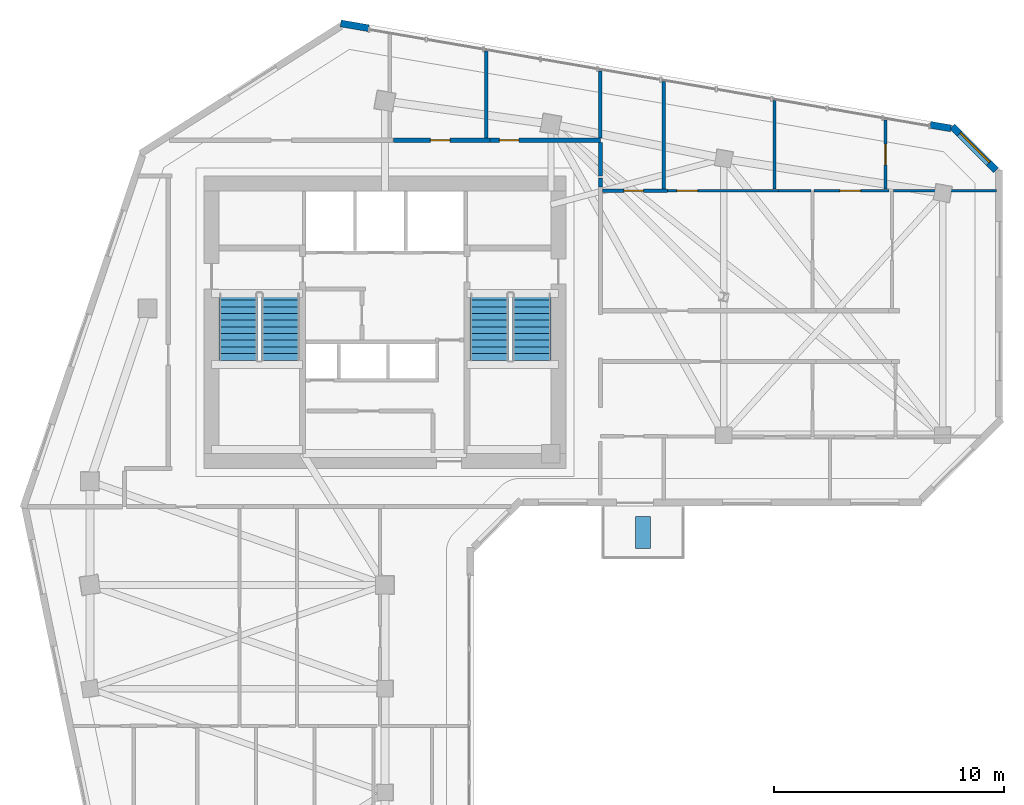
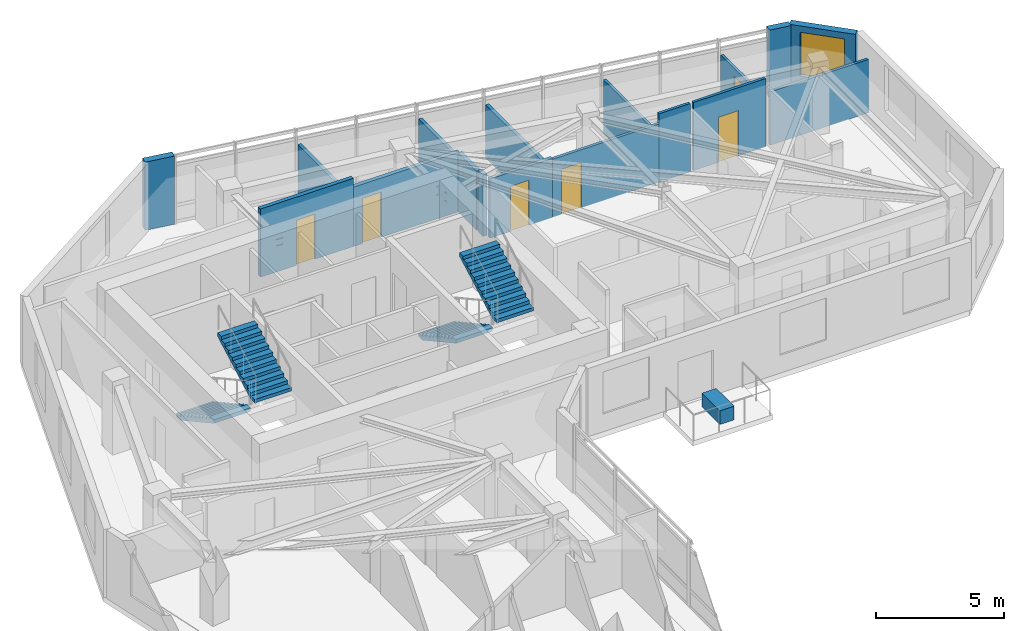
# One storey, part 8 of 11: 17 walls, 6 doors, 4 stair flights, 1 discrete accessory, 1 window, 7 openings, 2 elements without a shape of their own.
"""IFC4 building model written with IfcOpenShell, lengths in metres."""

import ifcopenshell
import ifcopenshell.guid

model = None  # the IFC model being written
_history = None  # IfcOwnerHistory: only IFC2X3 demands one
_inside = {}  # id of a spatial element -> (the spatial element, [elements in it])
_under = {}  # id of a project, library or spatial element -> (it, [spatial elements below it])
_declared = {}  # id of a project -> (the project, [libraries it declares])
_typed = {}  # id of a type object -> (the type object, [elements of that type])
_made_of = {}  # id of a material, layer set ... -> (it, [elements and type objects made of it])


def new_model(schema):
    """Start an empty IFC model of exactly this schema.

    Asked for "IFC4X3", IfcOpenShell would pick the latest addendum, in which some entities
    have other attributes; the version numbers below select the first issue.
    IFC2X3 requires an IfcOwnerHistory on every rooted entity: one is made here for all.
    """
    global model, _history
    if schema == "IFC4X3":
        model = ifcopenshell.file(schema_version=(4, 3, 0, 0))
    else:
        model = ifcopenshell.file(schema=schema)
    _inside.clear()
    _under.clear()
    _declared.clear()
    _typed.clear()
    _made_of.clear()
    _history = None
    if model.schema == "IFC2X3":
        org = make("IfcOrganization", Name="unknown")
        user = make(
            "IfcPersonAndOrganization",
            ThePerson=make("IfcPerson", FamilyName="unknown"),
            TheOrganization=org,
        )
        app = make(
            "IfcApplication",
            ApplicationDeveloper=org,
            Version="unknown",
            ApplicationFullName="unknown",
            ApplicationIdentifier="unknown",
        )
        _history = make(
            "IfcOwnerHistory",
            OwningUser=user,
            OwningApplication=app,
            ChangeAction="ADDED",
            CreationDate=0,
        )
    return model


def make(cls, **values):
    """One entity of the class cls with the attributes given. An attribute that is None is left unset."""
    return model.create_entity(
        cls, **{name: value for name, value in values.items() if value is not None}
    )


def rooted(cls, **values):
    """An entity with a GlobalId (a new one), such as an element, a storey or a relation."""
    return make(cls, GlobalId=ifcopenshell.guid.new(), OwnerHistory=_history, **values)


def si_unit(unit_type, name, prefix=None):
    """IfcSIUnit, for example si_unit("LENGTHUNIT", "METRE", prefix="MILLI")."""
    return make("IfcSIUnit", UnitType=unit_type, Prefix=prefix, Name=name)


def assignment(units):
    """IfcUnitAssignment: the units of a project."""
    return None if units is None else make("IfcUnitAssignment", Units=units)


def point(xyz):
    """IfcCartesianPoint."""
    return None if xyz is None else make("IfcCartesianPoint", Coordinates=xyz)


def direction(xyz):
    """IfcDirection."""
    return None if xyz is None else make("IfcDirection", DirectionRatios=xyz)


def frame(location, z_axis=None, x_axis=None):
    """IfcAxis2Placement3D, a coordinate frame: its origin and axes. An axis left out is left unset."""
    return make(
        "IfcAxis2Placement3D",
        Location=point(location),
        Axis=direction(z_axis),
        RefDirection=direction(x_axis),
    )


def frame_2d(location, x_axis=None):
    """IfcAxis2Placement2D, a coordinate frame in the plane: its origin and x axis."""
    return make(
        "IfcAxis2Placement2D", Location=point(location), RefDirection=direction(x_axis)
    )


def origin():
    """The frame at (0, 0, 0) with its axes left unset."""
    return frame((0.0, 0.0, 0.0))


def origin_2d():
    """The frame at (0, 0) in the plane with its x axis left unset."""
    return frame_2d((0.0, 0.0))


def place(relative_to, where):
    """IfcLocalPlacement: puts the frame where relative to a parent placement (None: the world)."""
    return make(
        "IfcLocalPlacement", PlacementRelTo=relative_to, RelativePlacement=where
    )


def context(
    kind, dimensions, precision=None, world=None, true_north=None, identifier=None
):
    """IfcGeometricRepresentationContext, for example the 3D "Model" context."""
    return make(
        "IfcGeometricRepresentationContext",
        ContextIdentifier=identifier,
        ContextType=kind,
        CoordinateSpaceDimension=dimensions,
        Precision=precision,
        WorldCoordinateSystem=world,
        TrueNorth=true_north,
    )


def subcontext(parent, identifier, kind, view, scale=None):
    """IfcGeometricRepresentationSubContext, for example "Body" below "Model"."""
    return make(
        "IfcGeometricRepresentationSubContext",
        ContextIdentifier=identifier,
        ContextType=kind,
        ParentContext=parent,
        TargetScale=scale,
        TargetView=view,
    )


def project(units=None, contexts=None):
    """IfcProject with its units and contexts."""
    return rooted(
        "IfcProject",
        Name="project",
        RepresentationContexts=contexts,
        UnitsInContext=assignment(units),
    )


def spatial(cls, under=None, at=None, **own):
    """A site, building, storey or space (cls), placed at a placement, below another one or the project."""
    s = rooted(cls, ObjectPlacement=at, **own)
    if under is not None:
        _under.setdefault(under.id(), (under, []))[1].append(s)
    return s


def polyline(points):
    """IfcPolyline through the points."""
    return make("IfcPolyline", Points=[point(p) for p in points])


def profile(cls, at=None, kind="AREA", **sizes):
    """A parametric profile (cls). Its sizes go by their IFC names, for example OverallWidth=200.0."""
    return make(cls, ProfileType=kind, Position=at, **sizes)


def rectangle(**sizes):
    """IfcRectangleProfileDef."""
    return profile("IfcRectangleProfileDef", **sizes)


def outline(outer, holes=None, kind="AREA"):
    """IfcArbitraryClosedProfileDef: a profile drawn as a closed curve; with holes, ...WithVoids."""
    if holes is None:
        return make("IfcArbitraryClosedProfileDef", ProfileType=kind, OuterCurve=outer)
    return make(
        "IfcArbitraryProfileDefWithVoids",
        ProfileType=kind,
        OuterCurve=outer,
        InnerCurves=holes,
    )


def extrude(swept, where, along, depth):
    """IfcExtrudedAreaSolid: the profile swept, set in the frame where, extruded along a direction by depth."""
    return make(
        "IfcExtrudedAreaSolid",
        SweptArea=swept,
        Position=where,
        ExtrudedDirection=direction(along),
        Depth=depth,
    )


def shape(context_of_items, identifier, shape_type, items):
    """IfcShapeRepresentation: the items that make up one representation, for example the "Body"."""
    return make(
        "IfcShapeRepresentation",
        ContextOfItems=context_of_items,
        RepresentationIdentifier=identifier,
        RepresentationType=shape_type,
        Items=items,
    )


def source(mapping_origin, context_of_items, identifier, shape_type, items):
    """IfcRepresentationMap: a shape defined once, which mapped items show again and again."""
    return make(
        "IfcRepresentationMap",
        MappingOrigin=mapping_origin,
        MappedRepresentation=shape(context_of_items, identifier, shape_type, items),
    )


def transform(
    local_origin,
    x_axis=None,
    y_axis=None,
    z_axis=None,
    scale=None,
    scale2=None,
    scale3=None,
    uniform=True,
):
    """IfcCartesianTransformationOperator3D, or its non-uniform kind. x_axis, y_axis, z_axis: its Axis1, 2, 3."""
    if uniform:
        return make(
            "IfcCartesianTransformationOperator3D",
            Axis1=direction(x_axis),
            Axis2=direction(y_axis),
            LocalOrigin=point(local_origin),
            Scale=scale,
            Axis3=direction(z_axis),
        )
    return make(
        "IfcCartesianTransformationOperator3DnonUniform",
        Axis1=direction(x_axis),
        Axis2=direction(y_axis),
        LocalOrigin=point(local_origin),
        Scale=scale,
        Axis3=direction(z_axis),
        Scale2=scale2,
        Scale3=scale3,
    )


def mapped(mapping_source, mapping_target):
    """IfcMappedItem: shows the shape of a source again, moved by a transform."""
    return make(
        "IfcMappedItem", MappingSource=mapping_source, MappingTarget=mapping_target
    )


def material(Name=None, Category=None):
    """IfcMaterial."""
    return make("IfcMaterial", Name=Name, Category=Category)


def layer(
    of_material, thickness, ventilated=None, Name=None, Category=None, Priority=None
):
    """IfcMaterialLayer: one layer of a wall or slab, of a material (None: an air gap)."""
    return make(
        "IfcMaterialLayer",
        Material=of_material,
        LayerThickness=thickness,
        IsVentilated=ventilated,
        Name=Name,
        Category=Category,
        Priority=Priority,
    )


def layer_set(layers, Name=None):
    """IfcMaterialLayerSet."""
    return make("IfcMaterialLayerSet", MaterialLayers=layers, LayerSetName=Name)


def made_of(thing, what):
    """Note that an element or type object is made of a material, layer set ...; save() writes the relation."""
    if what is not None:
        _made_of.setdefault(what.id(), (what, []))[1].append(thing)
    return thing


def type_object(cls, material=None, **own):
    """A type object (cls), such as IfcWallType, which elements share."""
    return made_of(rooted(cls, **own), material)


def element(
    cls,
    number,
    at=None,
    inside=None,
    cuts=None,
    type_object=None,
    material=None,
    context=None,
    identifier="Body",
    shape_type=None,
    held_by="IfcProductDefinitionShape",
    body=None,
    shapes=None,
    **own,
):
    """One element of the class cls, such as IfcWall. Its Tag is "e" and its number.

    at: its placement. inside: the storey or other place that contains it. cuts: it is an
    opening in that element (IfcRelVoidsElement). A single representation is given by context,
    identifier, shape_type and body (its items); several are given by shapes. held_by: the class
    of the entity that holds the representations. save() writes the other relations.
    """
    e = rooted(cls, Tag="e%d" % number, ObjectPlacement=at, **own)
    if body is not None:
        shapes = [shape(context, identifier, shape_type, body)]
    if shapes is not None:
        e.Representation = make(held_by, Representations=shapes)
    if inside is not None:
        _inside.setdefault(inside.id(), (inside, []))[1].append(e)
    if cuts is not None:
        rooted(
            "IfcRelVoidsElement", RelatingBuildingElement=cuts, RelatedOpeningElement=e
        )
    if type_object is not None:
        _typed.setdefault(type_object.id(), (type_object, []))[1].append(e)
    return made_of(e, material)


def fill(opening, filler):
    """IfcRelFillsElement: the door or window that sits in an opening."""
    return rooted(
        "IfcRelFillsElement",
        RelatingOpeningElement=opening,
        RelatedBuildingElement=filler,
    )


def aggregate(whole, parts):
    """IfcRelAggregates: a whole, such as a stair, and the parts it consists of."""
    return rooted("IfcRelAggregates", RelatingObject=whole, RelatedObjects=parts)


def save(model, path):
    """Write the relations noted so far, then the file.

    IfcRelAggregates (storeys below a building ...), IfcRelContainedInSpatialStructure (elements
    in a storey), IfcRelDefinesByType, IfcRelAssociatesMaterial and IfcRelDeclares: one each for
    every whole, place, type object, material and project.
    """
    for whole, parts in _under.values():
        aggregate(whole, parts)
    for where, things in _inside.values():
        rooted(
            "IfcRelContainedInSpatialStructure",
            RelatedElements=things,
            RelatingStructure=where,
        )
    for kind, things in _typed.values():
        rooted("IfcRelDefinesByType", RelatedObjects=things, RelatingType=kind)
    for what, things in _made_of.values():
        rooted("IfcRelAssociatesMaterial", RelatedObjects=things, RelatingMaterial=what)
    for by, libraries in _declared.values():
        rooted("IfcRelDeclares", RelatingContext=by, RelatedDefinitions=libraries)
    model.write(path)


model = new_model("IFC4")

# Units and contexts
model_context = context("Model", 3, precision=1e-05, world=origin(), true_north=direction((0.0, 1.0)))
body_context = subcontext(model_context, "Body", "Model", "MODEL_VIEW")
ifc_project = project(units=[si_unit("LENGTHUNIT", "METRE"), si_unit("AREAUNIT", "SQUARE_METRE"), si_unit("VOLUMEUNIT", "CUBIC_METRE"), si_unit("PLANEANGLEUNIT", "RADIAN"), si_unit("MASSUNIT", "GRAM", prefix="KILO")], contexts=[model_context])

# Site, building, storey
site_placement = place(None, origin())
site = spatial("IfcSite", under=ifc_project, at=site_placement, CompositionType="ELEMENT")
building_placement = place(site_placement, origin())
building = spatial("IfcBuilding", under=site, at=building_placement, Name="Calvemar Wedge Station Tower", CompositionType="ELEMENT")
storey_placement = place(building_placement, frame((0.0, 0.0, 190.39990234375)))
storey = spatial("IfcBuildingStorey", under=building, at=storey_placement, Name="L47", CompositionType="ELEMENT", Elevation=190.39990234375)

# Wall, opening, door
ifc_material_1 = material(Name="Double-stud fire-rated corridor partition")
ifc_layer_1 = layer(ifc_material_1, 0.179931640625)
ifc_layer_set_1 = layer_set([ifc_layer_1], Name="Double-stud fire-rated corridor partition")
wall_type_1 = type_object("IfcWallType", Name="W-CORR-180", PredefinedType="PARTITIONING", material=ifc_layer_set_1)
wall_1_placement = place(storey_placement, frame((24.162109375, 47.800048828125, 0.0), z_axis=(0.0, 0.0, 1.0), x_axis=(1.0, 0.0, 0.0)))
wall_1 = element("IfcWall", 1, at=wall_1_placement, inside=storey, type_object=wall_type_1, Name="Storey L47 Interior Partition WL-L47-015", PredefinedType="PARTITIONING", context=body_context, shape_type="SweptSolid", body=[
    extrude(rectangle(XDim=4.197998046875, YDim=0.179931640625, at=frame_2d((2.09912109375, 0.0))), origin(), (0.0, 0.0, 1.0), 3.25),
])
shared_shape_1 = source(origin(), body_context, "Body", "SweptSolid", [
    extrude(rectangle(XDim=0.85009765625, YDim=2.14990234375, at=frame_2d((0.425048828125, 1.074951171875))), frame((0.0, 0.10009765625, 0.0), z_axis=(0.0, -1.0, 0.0), x_axis=(1.0, 0.0, 0.0)), (0.0, 0.0, 1.0), 0.199951171875),
])
opening_1_placement = place(wall_1_placement, frame((1.61328125, 0.0, 0.0)))
opening_1 = element("IfcOpeningElement", 2, at=opening_1_placement, cuts=wall_1, Name="Opening D-02", PredefinedType="OPENING", context=body_context, shape_type="MappedRepresentation", body=[
    mapped(shared_shape_1, transform((0.0, 0.0, 0.0), scale=1.0)),
])
ifc_material_2 = material(Name="Moisture-sealed bathroom hardwood swing door", Category="wood")
door_type_1 = type_object("IfcDoorType", Name="DR-WET-850", OperationType="NOTDEFINED", PredefinedType="DOOR", material=ifc_material_2)
shared_shape_2 = source(origin(), body_context, "Body", "SweptSolid", [
    extrude(rectangle(XDim=0.85009765625, YDim=2.14990234375, at=frame_2d((0.425048828125, 1.074951171875))), frame((0.0, 0.02490234375, 0.0), z_axis=(0.0, -1.0, 0.0), x_axis=(1.0, 0.0, 0.0)), (0.0, 0.0, 1.0), 0.050048828125),
])
door_1_placement = place(opening_1_placement, origin())
door_1 = element("IfcDoor", 3, at=door_1_placement, inside=storey, type_object=door_type_1, Name="L47 Accessible WC Door", OperationType="SINGLE_SWING_RIGHT", OverallHeight=2.14990234375, OverallWidth=0.85009765625, PredefinedType="DOOR", context=body_context, shape_type="MappedRepresentation", body=[
    mapped(shared_shape_2, transform((0.0, 0.0, 0.0), scale=1.0)),
])
fill(opening_1, door_1)

wall_2_placement = place(storey_placement, frame((28.362060546875, 47.800048828125, 0.0), z_axis=(0.0, 0.0, 1.0), x_axis=(1.0, 0.0, 0.0)))
wall_2 = element("IfcWall", 4, at=wall_2_placement, inside=storey, type_object=wall_type_1, Name="Storey L47 Interior Partition WL-L47-016", PredefinedType="PARTITIONING", context=body_context, shape_type="SweptSolid", body=[
    extrude(rectangle(XDim=4.787841796875, YDim=0.179931640625, at=frame_2d((2.39404296875, 0.0))), origin(), (0.0, 0.0, 1.0), 2.822021484375),
])
opening_2_placement = place(wall_2_placement, frame((0.400634765625, 0.0, 0.0)))
opening_2 = element("IfcOpeningElement", 5, at=opening_2_placement, cuts=wall_2, Name="Opening D-02", PredefinedType="OPENING", context=body_context, shape_type="MappedRepresentation", body=[
    mapped(shared_shape_1, transform((0.0, 0.0, 0.0), scale=1.0)),
])
door_2_placement = place(opening_2_placement, origin())
door_2 = element("IfcDoor", 6, at=door_2_placement, inside=storey, type_object=door_type_1, Name="L47 Storage Room Door", OperationType="SINGLE_SWING_LEFT", OverallHeight=2.14990234375, OverallWidth=0.85009765625, PredefinedType="DOOR", context=body_context, shape_type="MappedRepresentation", body=[
    mapped(shared_shape_2, transform((0.0, 0.0, 0.0), scale=1.0)),
])
fill(opening_2, door_2)

# Walls
wall_3_placement = place(storey_placement, frame((33.14990234375, 47.7060546875, 0.0), z_axis=(0.0, 0.0, 1.0), x_axis=(0.0, -1.0, 0.0)))
element("IfcWall", 7, at=wall_3_placement, inside=storey, type_object=wall_type_1, Name="Storey L47 Interior Partition WL-L47-017", PredefinedType="PARTITIONING", context=body_context, shape_type="SweptSolid", body=[
    extrude(rectangle(XDim=1.4560546875, YDim=0.179931640625, at=frame_2d((0.72802734375, 0.0))), origin(), (0.0, 0.0, 1.0), 2.822021484375),
])
wall_4_placement = place(storey_placement, frame((33.14990234375, 46.156005859375, 0.0), z_axis=(0.0, 0.0, 1.0), x_axis=(0.0, -1.0, 0.0)))
element("IfcWall", 8, at=wall_4_placement, inside=storey, type_object=wall_type_1, Name="Storey L47 Interior Partition WL-L47-019", PredefinedType="PARTITIONING", context=body_context, shape_type="SweptSolid", body=[
    extrude(rectangle(XDim=0.387939453125, YDim=0.179931640625, at=frame_2d((0.19384765625, 0.0))), origin(), (0.0, 0.0, 1.0), 2.93408203125),
])

# Wall, opening, window
ifc_material_3 = material(Name="Precast concrete C45", Category="concrete")
ifc_layer_2 = layer(ifc_material_3, 0.300048828125)
ifc_layer_set_2 = layer_set([ifc_layer_2], Name="Precast concrete C45")
wall_type_2 = type_object("IfcWallType", Name="W-EXT-GFRC-300", PredefinedType="SOLIDWALL", material=ifc_layer_set_2)
wall_5_placement = place(storey_placement, frame((50.31201171875, 46.5, 0.0), z_axis=(0.0, 0.0, 1.0), x_axis=(-0.707106781187, 0.707106781187, 0.0)))
wall_5 = element("IfcWall", 9, at=wall_5_placement, inside=storey, type_object=wall_type_2, Name="Storey L47 Bronze GFRC Exterior Wall 9", PredefinedType="SOLIDWALL", context=body_context, shape_type="SweptSolid", body=[
    extrude(rectangle(XDim=2.67333984375, YDim=0.300048828125, at=frame_2d((1.336669921875, 0.0))), origin(), (0.0, 0.0, 1.0), 3.25),
])
shared_shape_3 = source(origin(), body_context, "Body", "SweptSolid", [
    extrude(rectangle(XDim=1.800048828125, YDim=2.10009765625, at=frame_2d((0.89990234375, 1.050048828125))), frame((0.0, 0.16015625, 0.0), z_axis=(0.0, -1.0, 0.0), x_axis=(1.0, 0.0, 0.0)), (0.0, 0.0, 1.0), 0.320068359375),
])
opening_3_placement = place(wall_5_placement, frame((0.43701171875, 0.0, 0.85009765625)))
opening_3 = element("IfcOpeningElement", 10, at=opening_3_placement, cuts=wall_5, Name="Opening W2", PredefinedType="OPENING", context=body_context, shape_type="MappedRepresentation", body=[
    mapped(shared_shape_3, transform((0.0, 0.0, 0.0), scale=1.0)),
])
ifc_material_4 = material(Name="Low-E laminated insulated glass", Category="glass")
window_type = type_object("IfcWindowType", Name="WIN-EXT-2", PartitioningType="SINGLE_PANEL", PredefinedType="WINDOW", material=ifc_material_4)
shared_shape_4 = source(origin(), body_context, "Body", "SweptSolid", [
    extrude(rectangle(XDim=1.800048828125, YDim=2.10009765625, at=frame_2d((0.89990234375, 1.050048828125))), frame((0.0, -0.014892578125, 0.0), z_axis=(0.0, -1.0, 0.0), x_axis=(1.0, 0.0, 0.0)), (0.0, 0.0, 1.0), 0.06005859375),
])
window_placement = place(opening_3_placement, origin())
window = element("IfcWindow", 11, at=window_placement, inside=storey, type_object=window_type, Name="Storey L47 Recessed Window 9.1", OverallHeight=2.10009765625, OverallWidth=1.800048828125, PartitioningType="SINGLE_PANEL", PredefinedType="WINDOW", context=body_context, shape_type="MappedRepresentation", body=[
    mapped(shared_shape_4, transform((0.0, 0.0, 0.0), scale=1.0)),
])
fill(opening_3, window)

# Walls
wall_6_placement = place(storey_placement, frame((48.361083984375, 48.31298828125, 0.0), z_axis=(0.0, 0.0, 1.0), x_axis=(-0.985560806516, 0.169321872949, 0.0)))
element("IfcWall", 12, at=wall_6_placement, inside=storey, type_object=wall_type_2, Name="Storey L47 Bronze GFRC Corner Pier 10A", PredefinedType="SOLIDWALL", context=body_context, shape_type="SweptSolid", body=[
    extrude(rectangle(XDim=0.908447265625, YDim=0.300048828125, at=frame_2d((0.4541015625, 0.0))), origin(), (0.0, 0.0, 1.0), 3.25),
])
wall_7_placement = place(storey_placement, frame((23.093505859375, 52.65966796875, 0.0), z_axis=(0.0, 0.0, 1.0), x_axis=(-0.985503719785, 0.169653818966, 0.0)))
element("IfcWall", 13, at=wall_7_placement, inside=storey, type_object=wall_type_2, Name="Storey L47 Bronze GFRC Corner Pier 10B", PredefinedType="SOLIDWALL", context=body_context, shape_type="SweptSolid", body=[
    extrude(rectangle(XDim=1.2275390625, YDim=0.300048828125, at=frame_2d((0.61376953125, 0.0))), origin(), (0.0, 0.0, 1.0), 3.25),
])
ifc_material_5 = material(Name="Insulated acoustic gypsum stud partition")
ifc_layer_3 = layer(ifc_material_5, 0.125)
ifc_layer_set_3 = layer_set([ifc_layer_3], Name="Insulated acoustic gypsum stud partition")
wall_type_3 = type_object("IfcWallType", Name="W-PART-125", PredefinedType="PARTITIONING", material=ifc_layer_set_3)
wall_8_placement = place(storey_placement, frame((45.87451171875, 45.60595703125, 0.0), z_axis=(0.0, 0.0, 1.0), x_axis=(1.0, 0.0, 0.0)))
element("IfcWall", 14, at=wall_8_placement, inside=storey, type_object=wall_type_3, Name="Storey L47 Interior Partition WL-L47-032", PredefinedType="PARTITIONING", context=body_context, shape_type="SweptSolid", body=[
    extrude(rectangle(XDim=4.46044921875, YDim=0.125, at=frame_2d((2.230224609375, 0.0))), origin(), (0.0, 0.0, 1.0), 2.5419921875),
])

# Wall, opening, door
wall_9_placement = place(storey_placement, frame((36.06201171875, 45.60595703125, 0.0), z_axis=(0.0, 0.0, 1.0), x_axis=(1.0, 0.0, 0.0)))
wall_9 = element("IfcWall", 15, at=wall_9_placement, inside=storey, type_object=wall_type_3, Name="Storey L47 Interior Partition WL-L47-035", PredefinedType="PARTITIONING", context=body_context, shape_type="SweptSolid", body=[
    extrude(rectangle(XDim=4.81005859375, YDim=0.125, at=frame_2d((2.405029296875, 0.0))), origin(), (0.0, 0.0, 1.0), 2.76611328125),
])
shared_shape_5 = source(origin(), body_context, "Body", "SweptSolid", [
    extrude(rectangle(XDim=0.89990234375, YDim=2.14990234375, at=frame_2d((0.449951171875, 1.074951171875))), frame((0.0, 0.072509765625, 0.0), z_axis=(0.0, -1.0, 0.0), x_axis=(1.0, 0.0, 0.0)), (0.0, 0.0, 1.0), 0.14501953125),
])
opening_4_placement = place(wall_9_placement, frame((0.404052734375, 0.0, 0.0)))
opening_4 = element("IfcOpeningElement", 16, at=opening_4_placement, cuts=wall_9, Name="Opening D-01", PredefinedType="OPENING", context=body_context, shape_type="MappedRepresentation", body=[
    mapped(shared_shape_5, transform((0.0, 0.0, 0.0), scale=1.0)),
])
ifc_material_6 = material(Name="Architectural hardwood acoustic swing door", Category="wood")
door_type_2 = type_object("IfcDoorType", Name="DR-INT-900", OperationType="NOTDEFINED", PredefinedType="DOOR", material=ifc_material_6)
shared_shape_6 = source(origin(), body_context, "Body", "SweptSolid", [
    extrude(rectangle(XDim=0.89990234375, YDim=2.14990234375, at=frame_2d((0.449951171875, 1.074951171875))), frame((0.0, 0.02490234375, 0.0), z_axis=(0.0, -1.0, 0.0), x_axis=(1.0, 0.0, 0.0)), (0.0, 0.0, 1.0), 0.050048828125),
])
door_3_placement = place(opening_4_placement, origin())
door_3 = element("IfcDoor", 17, at=door_3_placement, inside=storey, type_object=door_type_2, Name="L47 Master Bedroom Door", OperationType="SINGLE_SWING_RIGHT", OverallHeight=2.14990234375, OverallWidth=0.89990234375, PredefinedType="DOOR", context=body_context, shape_type="MappedRepresentation", body=[
    mapped(shared_shape_6, transform((0.0, 0.0, 0.0), scale=1.0)),
])
fill(opening_4, door_3)

# Wall
wall_10_placement = place(storey_placement, frame((40.8740234375, 45.60595703125, 0.0), z_axis=(0.0, 0.0, 1.0), x_axis=(1.0, 0.0, 0.0)))
element("IfcWall", 18, at=wall_10_placement, inside=storey, type_object=wall_type_3, Name="Storey L47 Interior Partition WL-L47-036", PredefinedType="PARTITIONING", context=body_context, shape_type="SweptSolid", body=[
    extrude(rectangle(XDim=1.409423828125, YDim=0.125, at=frame_2d((0.70458984375, 0.0))), origin(), (0.0, 0.0, 1.0), 3.25),
])

# Wall, opening, door
wall_11_placement = place(storey_placement, frame((42.41650390625, 45.60595703125, 0.0), z_axis=(0.0, 0.0, 1.0), x_axis=(1.0, 0.0, 0.0)))
wall_11 = element("IfcWall", 19, at=wall_11_placement, inside=storey, type_object=wall_type_3, Name="Storey L47 Interior Partition WL-L47-037", PredefinedType="PARTITIONING", context=body_context, shape_type="SweptSolid", body=[
    extrude(rectangle(XDim=3.2666015625, YDim=0.125, at=frame_2d((1.63330078125, 0.0))), origin(), (0.0, 0.0, 1.0), 3.25),
])
opening_5_placement = place(wall_11_placement, frame((1.123046875, 0.0, 0.0)))
opening_5 = element("IfcOpeningElement", 20, at=opening_5_placement, cuts=wall_11, Name="Opening D-01", PredefinedType="OPENING", context=body_context, shape_type="MappedRepresentation", body=[
    mapped(shared_shape_5, transform((0.0, 0.0, 0.0), scale=1.0)),
])
door_4_placement = place(opening_5_placement, origin())
door_4 = element("IfcDoor", 21, at=door_4_placement, inside=storey, type_object=door_type_2, Name="L47 Bedroom Door", OperationType="SINGLE_SWING_LEFT", OverallHeight=2.14990234375, OverallWidth=0.89990234375, PredefinedType="DOOR", context=body_context, shape_type="MappedRepresentation", body=[
    mapped(shared_shape_6, transform((0.0, 0.0, 0.0), scale=1.0)),
])
fill(opening_5, door_4)

# Wall
wall_12_placement = place(storey_placement, frame((40.7119140625, 49.51220703125, 0.0), z_axis=(0.0, 0.0, 1.0), x_axis=(0.0, -1.0, 0.0)))
element("IfcWall", 22, at=wall_12_placement, inside=storey, type_object=wall_type_3, Name="Storey L47 Interior Partition WL-L47-039", PredefinedType="PARTITIONING", context=body_context, shape_type="SweptSolid", body=[
    extrude(rectangle(XDim=3.839599609375, YDim=0.125, at=frame_2d((1.919921875, 0.0))), origin(), (0.0, 0.0, 1.0), 2.5419921875),
])

# Wall, opening, door
wall_13_placement = place(storey_placement, frame((45.52294921875, 48.684326171875, 0.0), z_axis=(0.0, 0.0, 1.0), x_axis=(0.0, -1.0, 0.0)))
wall_13 = element("IfcWall", 23, at=wall_13_placement, inside=storey, type_object=wall_type_3, Name="Storey L47 Interior Partition WL-L47-040", PredefinedType="PARTITIONING", context=body_context, shape_type="SweptSolid", body=[
    extrude(rectangle(XDim=3.01171875, YDim=0.125, at=frame_2d((1.505859375, 0.0))), origin(), (0.0, 0.0, 1.0), 2.5419921875),
])
opening_6_placement = place(wall_13_placement, frame((1.055908203125, 0.0, 0.0)))
opening_6 = element("IfcOpeningElement", 24, at=opening_6_placement, cuts=wall_13, Name="Opening D-01", PredefinedType="OPENING", context=body_context, shape_type="MappedRepresentation", body=[
    mapped(shared_shape_5, transform((0.0, 0.0, 0.0), scale=1.0)),
])
door_5_placement = place(opening_6_placement, origin())
door_5 = element("IfcDoor", 25, at=door_5_placement, inside=storey, type_object=door_type_2, Name="L47 Study Door", OperationType="SINGLE_SWING_RIGHT", OverallHeight=2.14990234375, OverallWidth=0.89990234375, PredefinedType="DOOR", context=body_context, shape_type="MappedRepresentation", body=[
    mapped(shared_shape_6, transform((0.0, 0.0, 0.0), scale=1.0)),
])
fill(opening_6, door_5)

# Walls
ifc_material_7 = material(Name="Moisture-resistant acoustic bathroom partition")
ifc_layer_4 = layer(ifc_material_7, 0.14990234375)
ifc_layer_set_4 = layer_set([ifc_layer_4], Name="Moisture-resistant acoustic bathroom partition")
wall_type_4 = type_object("IfcWallType", Name="W-WET-150", PredefinedType="PARTITIONING", material=ifc_layer_set_4)
wall_14_placement = place(storey_placement, frame((28.199951171875, 51.66455078125, 0.0), z_axis=(0.0, 0.0, 1.0), x_axis=(0.0, -1.0, 0.0)))
element("IfcWall", 26, at=wall_14_placement, inside=storey, type_object=wall_type_4, Name="Storey L47 Interior Partition WL-L47-023", PredefinedType="PARTITIONING", context=body_context, shape_type="SweptSolid", body=[
    extrude(rectangle(XDim=3.7705078125, YDim=0.14990234375, at=frame_2d((1.88525390625, 0.0))), origin(), (0.0, 0.0, 1.0), 2.5419921875),
])
wall_15_placement = place(storey_placement, frame((33.14990234375, 50.81298828125, 0.0), z_axis=(0.0, 0.0, 1.0), x_axis=(0.0, -1.0, 0.0)))
element("IfcWall", 27, at=wall_15_placement, inside=storey, type_object=wall_type_4, Name="Storey L47 Interior Partition WL-L47-024", PredefinedType="PARTITIONING", context=body_context, shape_type="SweptSolid", body=[
    extrude(rectangle(XDim=2.9189453125, YDim=0.14990234375, at=frame_2d((1.45947265625, 0.0))), origin(), (0.0, 0.0, 1.0), 2.5419921875),
])

# Wall, opening, door
wall_16_placement = place(storey_placement, frame((33.243896484375, 45.60595703125, 0.0), z_axis=(0.0, 0.0, 1.0), x_axis=(1.0, 0.0, 0.0)))
wall_16 = element("IfcWall", 28, at=wall_16_placement, inside=storey, type_object=wall_type_4, Name="Storey L47 Interior Partition WL-L47-034", PredefinedType="PARTITIONING", context=body_context, shape_type="SweptSolid", body=[
    extrude(rectangle(XDim=2.816162109375, YDim=0.14990234375, at=frame_2d((1.408203125, 0.0))), origin(), (0.0, 0.0, 1.0), 2.822021484375),
])
shared_shape_7 = source(origin(), body_context, "Body", "SweptSolid", [
    extrude(rectangle(XDim=0.85009765625, YDim=2.14990234375, at=frame_2d((0.425048828125, 1.074951171875))), frame((0.0, 0.0849609375, 0.0), z_axis=(0.0, -1.0, 0.0), x_axis=(1.0, 0.0, 0.0)), (0.0, 0.0, 1.0), 0.169921875),
])
opening_7_placement = place(wall_16_placement, frame((0.919189453125, 0.0, 0.0)))
opening_7 = element("IfcOpeningElement", 29, at=opening_7_placement, cuts=wall_16, Name="Opening D-02", PredefinedType="OPENING", context=body_context, shape_type="MappedRepresentation", body=[
    mapped(shared_shape_7, transform((0.0, 0.0, 0.0), scale=1.0)),
])
door_6_placement = place(opening_7_placement, origin())
door_6 = element("IfcDoor", 30, at=door_6_placement, inside=storey, type_object=door_type_1, Name="L47 Bathroom Door", OperationType="SINGLE_SWING_LEFT", OverallHeight=2.14990234375, OverallWidth=0.85009765625, PredefinedType="DOOR", context=body_context, shape_type="MappedRepresentation", body=[
    mapped(shared_shape_2, transform((0.0, 0.0, 0.0), scale=1.0)),
])
fill(opening_7, door_6)

# Wall
wall_17_placement = place(storey_placement, frame((35.89990234375, 50.33984375, 0.0), z_axis=(0.0, 0.0, 1.0), x_axis=(0.0, -1.0, 0.0)))
element("IfcWall", 31, at=wall_17_placement, inside=storey, type_object=wall_type_4, Name="Storey L47 Interior Partition WL-L47-038", PredefinedType="PARTITIONING", context=body_context, shape_type="SweptSolid", body=[
    extrude(rectangle(XDim=4.65478515625, YDim=0.14990234375, at=frame_2d((2.327392578125, 0.0))), origin(), (0.0, 0.0, 1.0), 2.5419921875),
])

# Stair, stair flights
ifc_material_8 = material(Name="Concrete C45", Category="concrete")
stair_type = type_object("IfcStairType", Name="ST-TYPE-3500", PredefinedType="HALF_TURN_STAIR", material=ifc_material_8)
stair_1_placement = place(storey_placement, origin())
stair_1 = element("IfcStair", 32, at=stair_1_placement, inside=storey, type_object=stair_type, Name="L47 Pressurized Core Exit Stair ST-C1", PredefinedType="HALF_TURN_STAIR")
stair_flight_type = type_object("IfcStairFlightType", Name="STF-TYPE-3500", PredefinedType="STRAIGHT", material=ifc_material_8)
stair_flight_1_placement = place(storey_placement, frame((17.429931640625, 41.14990234375, 0.0), z_axis=(0.0, 0.0, 1.0), x_axis=(0.0, -1.0, 0.0)))
stair_flight_1 = element("IfcStairFlight", 33, at=stair_flight_1_placement, type_object=stair_flight_type, Name="ST-C1 flight 1", NumberOfRisers=11, NumberOfTreads=10, PredefinedType="STRAIGHT", RiserHeight=0.159090909, TreadLength=0.29, context=body_context, shape_type="SweptSolid", body=[
    extrude(outline(polyline([(0.0, 0.0), (0.0, 0.1591796875), (0.2900390625, 0.1591796875), (0.2900390625, 0.318115234375), (0.580078125, 0.318115234375), (0.580078125, 0.477294921875), (0.8701171875, 0.477294921875), (0.8701171875, 0.636474609375), (1.159912109375, 0.636474609375), (1.159912109375, 0.79541015625), (1.449951171875, 0.79541015625), (1.449951171875, 0.95458984375), (1.739990234375, 0.95458984375), (1.739990234375, 1.113525390625), (2.030029296875, 1.113525390625), (2.030029296875, 1.272705078125), (2.320068359375, 1.272705078125), (2.320068359375, 1.431884765625), (2.610107421875, 1.431884765625), (2.610107421875, 1.5908203125), (2.89990234375, 1.5908203125), (2.89990234375, 1.75), (2.89990234375, 1.419921875), (0.311767578125, 0.0), (0.0, 0.0)])), frame((0.0, 0.830078125, 0.0), z_axis=(0.0, -1.0, 0.0), x_axis=(1.0, 0.0, 0.0)), (0.0, 0.0, 1.0), 1.659912109375),
])
stair_flight_2_placement = place(storey_placement, frame((19.27001953125, 38.25, 1.75), z_axis=(0.0, 0.0, 1.0), x_axis=(0.0, 1.0, 0.0)))
stair_flight_2 = element("IfcStairFlight", 34, at=stair_flight_2_placement, type_object=stair_flight_type, Name="ST-C1 flight 2", NumberOfRisers=11, NumberOfTreads=10, PredefinedType="STRAIGHT", RiserHeight=0.159090909, TreadLength=0.29, context=body_context, shape_type="SweptSolid", body=[
    extrude(outline(polyline([(0.0, 0.0), (0.0, 0.1591796875), (0.2900390625, 0.1591796875), (0.2900390625, 0.318115234375), (0.580078125, 0.318115234375), (0.580078125, 0.477294921875), (0.8701171875, 0.477294921875), (0.8701171875, 0.636474609375), (1.159912109375, 0.636474609375), (1.159912109375, 0.79541015625), (1.449951171875, 0.79541015625), (1.449951171875, 0.95458984375), (1.739990234375, 0.95458984375), (1.739990234375, 1.113525390625), (2.030029296875, 1.113525390625), (2.030029296875, 1.272705078125), (2.320068359375, 1.272705078125), (2.320068359375, 1.431884765625), (2.610107421875, 1.431884765625), (2.610107421875, 1.5908203125), (2.89990234375, 1.5908203125), (2.89990234375, 1.75), (2.89990234375, 1.419921875), (0.311767578125, 0.0), (0.0, 0.0)])), frame((0.0, 0.830078125, 0.0), z_axis=(0.0, -1.0, 0.0), x_axis=(1.0, 0.0, 0.0)), (0.0, 0.0, 1.0), 1.659912109375),
])
aggregate(stair_1, [stair_flight_1, stair_flight_2])

stair_2_placement = place(storey_placement, origin())
stair_2 = element("IfcStair", 35, at=stair_2_placement, inside=storey, type_object=stair_type, Name="L47 Pressurized Core Exit Stair ST-C2", PredefinedType="HALF_TURN_STAIR")
stair_flight_3_placement = place(storey_placement, frame((28.330078125, 41.14990234375, 0.0), z_axis=(0.0, 0.0, 1.0), x_axis=(0.0, -1.0, 0.0)))
stair_flight_3 = element("IfcStairFlight", 36, at=stair_flight_3_placement, type_object=stair_flight_type, Name="ST-C2 flight 1", NumberOfRisers=11, NumberOfTreads=10, PredefinedType="STRAIGHT", RiserHeight=0.159090909, TreadLength=0.29, context=body_context, shape_type="SweptSolid", body=[
    extrude(outline(polyline([(0.0, 0.0), (0.0, 0.1591796875), (0.2900390625, 0.1591796875), (0.2900390625, 0.318115234375), (0.580078125, 0.318115234375), (0.580078125, 0.477294921875), (0.8701171875, 0.477294921875), (0.8701171875, 0.636474609375), (1.159912109375, 0.636474609375), (1.159912109375, 0.79541015625), (1.449951171875, 0.79541015625), (1.449951171875, 0.95458984375), (1.739990234375, 0.95458984375), (1.739990234375, 1.113525390625), (2.030029296875, 1.113525390625), (2.030029296875, 1.272705078125), (2.320068359375, 1.272705078125), (2.320068359375, 1.431884765625), (2.610107421875, 1.431884765625), (2.610107421875, 1.5908203125), (2.89990234375, 1.5908203125), (2.89990234375, 1.75), (2.89990234375, 1.419921875), (0.311767578125, 0.0), (0.0, 0.0)])), frame((0.0, 0.830078125, 0.0), z_axis=(0.0, -1.0, 0.0), x_axis=(1.0, 0.0, 0.0)), (0.0, 0.0, 1.0), 1.659912109375),
])
stair_flight_4_placement = place(storey_placement, frame((30.169921875, 38.25, 1.75), z_axis=(0.0, 0.0, 1.0), x_axis=(0.0, 1.0, 0.0)))
stair_flight_4 = element("IfcStairFlight", 37, at=stair_flight_4_placement, type_object=stair_flight_type, Name="ST-C2 flight 2", NumberOfRisers=11, NumberOfTreads=10, PredefinedType="STRAIGHT", RiserHeight=0.159090909, TreadLength=0.29, context=body_context, shape_type="SweptSolid", body=[
    extrude(outline(polyline([(0.0, 0.0), (0.0, 0.1591796875), (0.2900390625, 0.1591796875), (0.2900390625, 0.318115234375), (0.580078125, 0.318115234375), (0.580078125, 0.477294921875), (0.8701171875, 0.477294921875), (0.8701171875, 0.636474609375), (1.159912109375, 0.636474609375), (1.159912109375, 0.79541015625), (1.449951171875, 0.79541015625), (1.449951171875, 0.95458984375), (1.739990234375, 0.95458984375), (1.739990234375, 1.113525390625), (2.030029296875, 1.113525390625), (2.030029296875, 1.272705078125), (2.320068359375, 1.272705078125), (2.320068359375, 1.431884765625), (2.610107421875, 1.431884765625), (2.610107421875, 1.5908203125), (2.89990234375, 1.5908203125), (2.89990234375, 1.75), (2.89990234375, 1.419921875), (0.311767578125, 0.0), (0.0, 0.0)])), frame((0.0, 0.830078125, 0.0), z_axis=(0.0, -1.0, 0.0), x_axis=(1.0, 0.0, 0.0)), (0.0, 0.0, 1.0), 1.659912109375),
])
aggregate(stair_2, [stair_flight_3, stair_flight_4])

# Discrete accessory
discrete_accessory_type = type_object("IfcDiscreteAccessoryType", Name="ACC-PLANTER", PredefinedType="USERDEFINED", material=ifc_material_3)
shared_shape_8 = source(origin(), body_context, "Body", "SweptSolid", [
    extrude(rectangle(XDim=0.64990234375, YDim=1.39990234375, at=origin_2d()), origin(), (0.0, 0.0, 1.0), 0.64990234375),
])
discrete_accessory_placement = place(storey_placement, frame((35.0, 30.77392578125, 0.000244140625), z_axis=(0.0, 0.0, 1.0), x_axis=(1.0, 0.0, 0.0)))
element("IfcDiscreteAccessory", 38, at=discrete_accessory_placement, inside=storey, type_object=discrete_accessory_type, Name="Storey L47 Planted Terrace GFRC Planter", ObjectType="PLANTER", PredefinedType="USERDEFINED", context=body_context, shape_type="MappedRepresentation", body=[
    mapped(shared_shape_8, transform((0.0, 0.0, 0.0), scale=1.0)),
])

save(model, "model.ifc")
